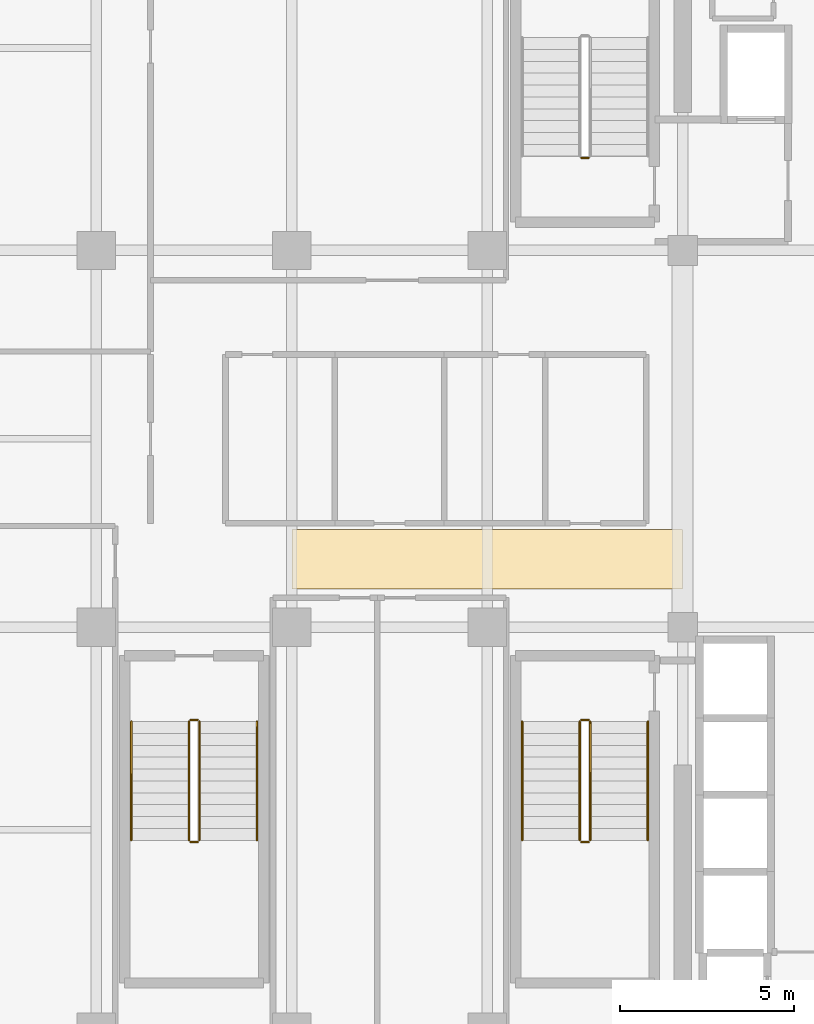
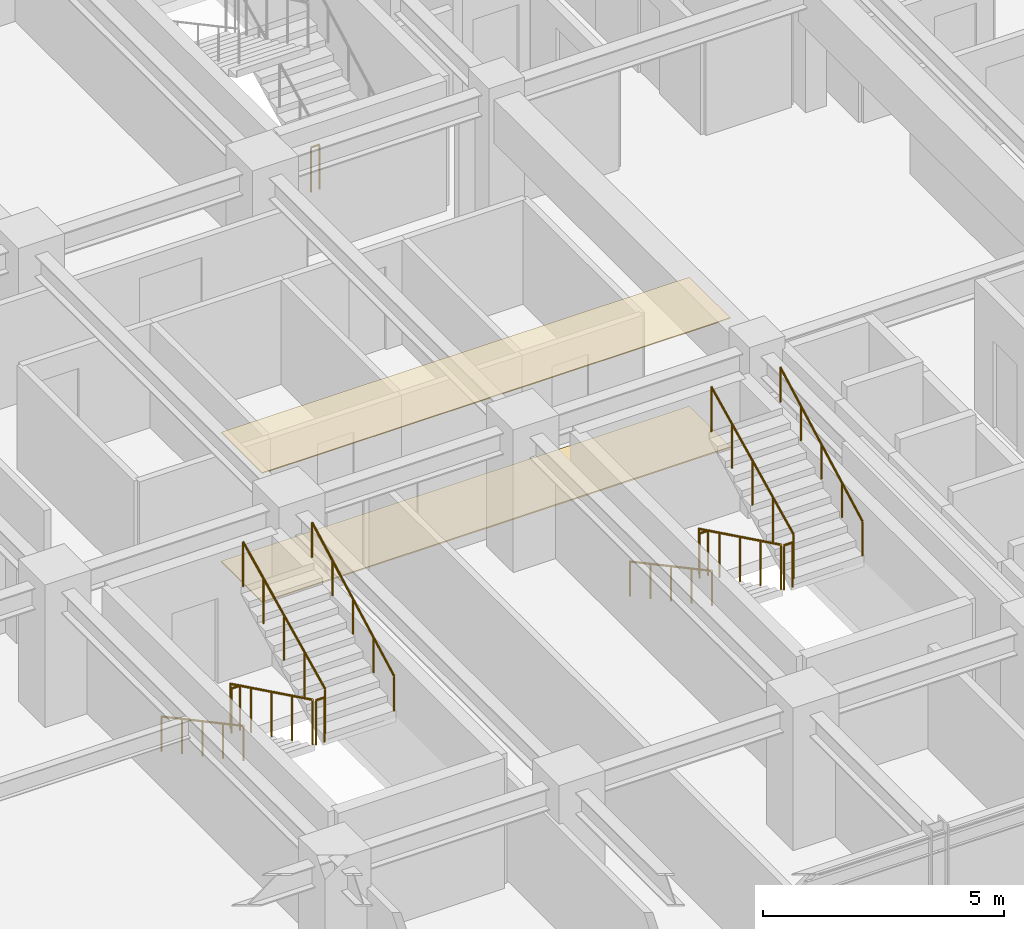
# One storey, part 30 of 32: 13 railings, 2 coverings.
"""IFC4 building model written with IfcOpenShell, lengths in metres."""

from ifc_helpers import new_model, si_unit, direction, frame, origin, origin_2d, place, context, subcontext, project, spatial, polyline, circle, outline, extrude, material, layer, layer_set, type_object, element, save


model = new_model("IFC4")

# Units and contexts
model_context = context("Model", 3, precision=1e-05, world=origin(), true_north=direction((0.0, 1.0)))
body_context = subcontext(model_context, "Body", "Model", "MODEL_VIEW")
ifc_project = project(units=[si_unit("LENGTHUNIT", "METRE"), si_unit("AREAUNIT", "SQUARE_METRE"), si_unit("VOLUMEUNIT", "CUBIC_METRE"), si_unit("PLANEANGLEUNIT", "RADIAN"), si_unit("MASSUNIT", "GRAM", prefix="KILO")], contexts=[model_context])

# Site, building, storey
site_placement = place(None, origin())
site = spatial("IfcSite", under=ifc_project, at=site_placement, CompositionType="ELEMENT")
building_placement = place(site_placement, origin())
building = spatial("IfcBuilding", under=site, at=building_placement, Name="Nahalor Promenade Grand Hotel", CompositionType="ELEMENT")
storey_placement = place(building_placement, frame((0.0, 0.0, 196.449951171875)))
storey = spatial("IfcBuildingStorey", under=building, at=storey_placement, Name="L50", CompositionType="ELEMENT", Elevation=196.449951171875)

# Coverings
ifc_material_1 = material(Name="Acoustic Mineral Gypsum", Category="gypsum")
ifc_layer_1 = layer(ifc_material_1, 0.02490234375)
ifc_layer_set_1 = layer_set([ifc_layer_1], Name="Acoustic Mineral Gypsum")
covering_type_1 = type_object("IfcCoveringType", Name="Acoustic Suspended Ceiling Tile", PredefinedType="CEILING", material=ifc_layer_set_1)
covering_1_placement = place(storey_placement, frame((0.0, 0.0, 3.26513671875)))
element("IfcCovering", 1, at=covering_1_placement, inside=storey, type_object=covering_type_1, Name="CV-CEIL-L50", PredefinedType="CEILING", context=body_context, shape_type="SweptSolid", body=[
    extrude(outline(polyline([(-2.800048828125, -4.300048828125), (8.39990234375, -4.300048828125), (8.39990234375, -2.60009765625), (-2.800048828125, -2.60009765625), (-2.800048828125, -4.300048828125)])), origin(), (0.0, 0.0, 1.0), 0.02490234375),
])
ifc_material_2 = material(Name="Jerusalem Limestone Flooring", Category="masonry")
ifc_layer_2 = layer(ifc_material_2, 0.030029296875)
ifc_layer_set_2 = layer_set([ifc_layer_2], Name="Jerusalem Limestone Flooring")
covering_type_2 = type_object("IfcCoveringType", Name="Honed Limestone Floor Finish", PredefinedType="FLOORING", material=ifc_layer_set_2)
covering_2_placement = place(storey_placement, origin())
element("IfcCovering", 2, at=covering_2_placement, inside=storey, type_object=covering_type_2, Name="CV-FLOR-L50", PredefinedType="FLOORING", context=body_context, shape_type="SweptSolid", body=[
    extrude(outline(polyline([(-2.800048828125, -4.300048828125), (8.39990234375, -4.300048828125), (8.39990234375, -2.60009765625), (-2.800048828125, -2.60009765625), (-2.800048828125, -4.300048828125)])), origin(), (0.0, 0.0, 1.0), 0.030029296875),
])

# Railings
ifc_material_3 = material(Name="Steel S355JR", Category="steel")
railing_type_1 = type_object("IfcRailingType", Name="Steel Stair Guardrail 1150 mm", PredefinedType="GUARDRAIL", material=ifc_material_3)
railing_1_placement = place(storey_placement, frame((5.699951171875, 8.050048828125, 0.0)))
element("IfcRailing", 3, at=railing_1_placement, inside=storey, type_object=railing_type_1, Name="L50 ST1 stair guard 4", PredefinedType="GUARDRAIL", context=body_context, shape_type="SweptSolid", body=[
    extrude(circle(Radius=0.024048, at=origin_2d()), frame((0.0, 0.0, 1.1259765625), z_axis=(-1.0, 0.0, 0.0), x_axis=(0.0, -1.0, 0.0)), (0.0, 0.0, 1.0), 0.199951171875),
    extrude(circle(Radius=0.020996, at=origin_2d()), origin(), (0.0, 0.0, 1.0), 1.099853515625),
    extrude(circle(Radius=0.020996, at=origin_2d()), frame((-0.199951171875, 0.0, 0.0)), (0.0, 0.0, 1.0), 1.099853515625),
])
railing_2_placement = place(storey_placement, frame((5.449951171875, -8.10009765625, 0.166015625)))
element("IfcRailing", 4, at=railing_2_placement, inside=storey, type_object=railing_type_1, Name="L50 ST2 stair guard 1", PredefinedType="GUARDRAIL", context=body_context, shape_type="SweptSolid", body=[
    extrude(circle(Radius=0.024048, at=origin_2d()), frame((0.0, 0.0, 1.1259765625), z_axis=(0.0, -0.898721922897, 0.438518990814), x_axis=(1.0, 0.0, 0.0)), (0.0, 0.0, 1.0), 3.782958984375),
    extrude(circle(Radius=0.020996, at=origin_2d()), origin(), (0.0, 0.0, 1.0), 1.099853515625),
    extrude(circle(Radius=0.020996, at=origin_2d()), frame((0.0, -0.85009765625, 0.414794921875)), (0.0, 0.0, 1.0), 1.099853515625),
    extrude(circle(Radius=0.020996, at=origin_2d()), frame((0.0, -1.699951171875, 0.82958984375)), (0.0, 0.0, 1.0), 1.099853515625),
    extrude(circle(Radius=0.020996, at=origin_2d()), frame((0.0, -2.5498046875, 1.244140625)), (0.0, 0.0, 1.0), 1.099853515625),
    extrude(circle(Radius=0.020996, at=origin_2d()), frame((0.0, -3.39990234375, 1.658935546875)), (0.0, 0.0, 1.0), 1.099853515625),
])
railing_3_placement = place(storey_placement, frame((5.5, -11.550048828125, 1.824951171875)))
element("IfcRailing", 5, at=railing_3_placement, inside=storey, type_object=railing_type_1, Name="L50 ST2 stair guard 2", PredefinedType="GUARDRAIL", context=body_context, shape_type="SweptSolid", body=[
    extrude(circle(Radius=0.024048, at=origin_2d()), frame((0.0, 0.0, 1.1259765625), z_axis=(1.0, 0.0, 0.0), x_axis=(0.0, 1.0, 0.0)), (0.0, 0.0, 1.0), 0.199951171875),
    extrude(circle(Radius=0.020996, at=origin_2d()), origin(), (0.0, 0.0, 1.0), 1.099853515625),
    extrude(circle(Radius=0.020996, at=origin_2d()), frame((0.199951171875, 0.0, 0.0)), (0.0, 0.0, 1.0), 1.099853515625),
])
railing_4_placement = place(storey_placement, frame((5.75, -11.5, 1.990966796875)))
element("IfcRailing", 6, at=railing_4_placement, inside=storey, type_object=railing_type_1, Name="L50 ST2 stair guard 3", PredefinedType="GUARDRAIL", context=body_context, shape_type="SweptSolid", body=[
    extrude(circle(Radius=0.024048, at=origin_2d()), frame((0.0, 0.0, 1.1259765625), z_axis=(0.0, 0.898696488221, 0.438571114028), x_axis=(-1.0, 0.0, 0.0)), (0.0, 0.0, 1.0), 3.783203125),
    extrude(circle(Radius=0.020996, at=origin_2d()), origin(), (0.0, 0.0, 1.0), 1.099853515625),
    extrude(circle(Radius=0.020996, at=origin_2d()), frame((0.0, 0.85009765625, 0.414794921875)), (0.0, 0.0, 1.0), 1.099853515625),
    extrude(circle(Radius=0.020996, at=origin_2d()), frame((0.0, 1.699951171875, 0.82958984375)), (0.0, 0.0, 1.0), 1.099853515625),
    extrude(circle(Radius=0.020996, at=origin_2d()), frame((0.0, 2.5498046875, 1.244384765625)), (0.0, 0.0, 1.0), 1.099853515625),
    extrude(circle(Radius=0.020996, at=origin_2d()), frame((0.0, 3.39990234375, 1.6591796875)), (0.0, 0.0, 1.0), 1.099853515625),
])
railing_5_placement = place(storey_placement, frame((5.5, -8.050048828125, 0.0)))
element("IfcRailing", 7, at=railing_5_placement, inside=storey, type_object=railing_type_1, Name="L50 ST2 stair guard 4", PredefinedType="GUARDRAIL", context=body_context, shape_type="SweptSolid", body=[
    extrude(circle(Radius=0.024048, at=origin_2d()), frame((0.0, 0.0, 1.1259765625), z_axis=(1.0, 0.0, 0.0), x_axis=(0.0, 1.0, 0.0)), (0.0, 0.0, 1.0), 0.199951171875),
    extrude(circle(Radius=0.020996, at=origin_2d()), origin(), (0.0, 0.0, 1.0), 1.099853515625),
    extrude(circle(Radius=0.020996, at=origin_2d()), frame((0.199951171875, 0.0, 0.0)), (0.0, 0.0, 1.0), 1.099853515625),
])
railing_6_placement = place(storey_placement, frame((-5.75, -8.10009765625, 0.166015625)))
element("IfcRailing", 8, at=railing_6_placement, inside=storey, type_object=railing_type_1, Name="L50 ST3 stair guard 1", PredefinedType="GUARDRAIL", context=body_context, shape_type="SweptSolid", body=[
    extrude(circle(Radius=0.024048, at=origin_2d()), frame((0.0, 0.0, 1.1259765625), z_axis=(0.0, -0.898721922897, 0.438518990814), x_axis=(1.0, 0.0, 0.0)), (0.0, 0.0, 1.0), 3.782958984375),
    extrude(circle(Radius=0.020996, at=origin_2d()), origin(), (0.0, 0.0, 1.0), 1.099853515625),
    extrude(circle(Radius=0.020996, at=origin_2d()), frame((0.0, -0.85009765625, 0.414794921875)), (0.0, 0.0, 1.0), 1.099853515625),
    extrude(circle(Radius=0.020996, at=origin_2d()), frame((0.0, -1.699951171875, 0.82958984375)), (0.0, 0.0, 1.0), 1.099853515625),
    extrude(circle(Radius=0.020996, at=origin_2d()), frame((0.0, -2.5498046875, 1.244140625)), (0.0, 0.0, 1.0), 1.099853515625),
    extrude(circle(Radius=0.020996, at=origin_2d()), frame((0.0, -3.39990234375, 1.658935546875)), (0.0, 0.0, 1.0), 1.099853515625),
])
railing_7_placement = place(storey_placement, frame((-5.699951171875, -11.550048828125, 1.824951171875)))
element("IfcRailing", 9, at=railing_7_placement, inside=storey, type_object=railing_type_1, Name="L50 ST3 stair guard 2", PredefinedType="GUARDRAIL", context=body_context, shape_type="SweptSolid", body=[
    extrude(circle(Radius=0.024048, at=origin_2d()), frame((0.0, 0.0, 1.1259765625), z_axis=(1.0, 0.0, 0.0), x_axis=(0.0, 1.0, 0.0)), (0.0, 0.0, 1.0), 0.199951171875),
    extrude(circle(Radius=0.020996, at=origin_2d()), origin(), (0.0, 0.0, 1.0), 1.099853515625),
    extrude(circle(Radius=0.020996, at=origin_2d()), frame((0.199951171875, 0.0, 0.0)), (0.0, 0.0, 1.0), 1.099853515625),
])
railing_8_placement = place(storey_placement, frame((-5.449951171875, -11.5, 1.990966796875)))
element("IfcRailing", 10, at=railing_8_placement, inside=storey, type_object=railing_type_1, Name="L50 ST3 stair guard 3", PredefinedType="GUARDRAIL", context=body_context, shape_type="SweptSolid", body=[
    extrude(circle(Radius=0.024048, at=origin_2d()), frame((0.0, 0.0, 1.1259765625), z_axis=(0.0, 0.898696488221, 0.438571114028), x_axis=(-1.0, 0.0, 0.0)), (0.0, 0.0, 1.0), 3.783203125),
    extrude(circle(Radius=0.020996, at=origin_2d()), origin(), (0.0, 0.0, 1.0), 1.099853515625),
    extrude(circle(Radius=0.020996, at=origin_2d()), frame((0.0, 0.85009765625, 0.414794921875)), (0.0, 0.0, 1.0), 1.099853515625),
    extrude(circle(Radius=0.020996, at=origin_2d()), frame((0.0, 1.699951171875, 0.82958984375)), (0.0, 0.0, 1.0), 1.099853515625),
    extrude(circle(Radius=0.020996, at=origin_2d()), frame((0.0, 2.5498046875, 1.244384765625)), (0.0, 0.0, 1.0), 1.099853515625),
    extrude(circle(Radius=0.020996, at=origin_2d()), frame((0.0, 3.39990234375, 1.6591796875)), (0.0, 0.0, 1.0), 1.099853515625),
])
railing_9_placement = place(storey_placement, frame((-5.699951171875, -8.050048828125, 0.0)))
element("IfcRailing", 11, at=railing_9_placement, inside=storey, type_object=railing_type_1, Name="L50 ST3 stair guard 4", PredefinedType="GUARDRAIL", context=body_context, shape_type="SweptSolid", body=[
    extrude(circle(Radius=0.024048, at=origin_2d()), frame((0.0, 0.0, 1.1259765625), z_axis=(1.0, 0.0, 0.0), x_axis=(0.0, 1.0, 0.0)), (0.0, 0.0, 1.0), 0.199951171875),
    extrude(circle(Radius=0.020996, at=origin_2d()), origin(), (0.0, 0.0, 1.0), 1.099853515625),
    extrude(circle(Radius=0.020996, at=origin_2d()), frame((0.199951171875, 0.0, 0.0)), (0.0, 0.0, 1.0), 1.099853515625),
])
railing_type_2 = type_object("IfcRailingType", Name="Steel Stair Handrail 900 mm", PredefinedType="HANDRAIL", material=ifc_material_3)
railing_10_placement = place(storey_placement, frame((3.800048828125, -8.10009765625, 0.166015625)))
element("IfcRailing", 12, at=railing_10_placement, inside=storey, type_object=railing_type_2, Name="L50 ST2 stair handrail 1", PredefinedType="HANDRAIL", context=body_context, shape_type="SweptSolid", body=[
    extrude(circle(Radius=0.024048, at=origin_2d()), frame((0.0, 0.0, 0.8759765625), z_axis=(0.0, -0.881094038095, 0.47294111265), x_axis=(1.0, 0.0, 0.0)), (0.0, 0.0, 1.0), 3.858642578125),
    extrude(circle(Radius=0.020996, at=origin_2d()), origin(), (0.0, 0.0, 1.0), 0.849853515625),
    extrude(circle(Radius=0.020996, at=origin_2d()), frame((0.0, -0.85009765625, 0.456298828125)), (0.0, 0.0, 1.0), 0.849853515625),
    extrude(circle(Radius=0.020996, at=origin_2d()), frame((0.0, -1.699951171875, 0.91259765625)), (0.0, 0.0, 1.0), 0.849853515625),
    extrude(circle(Radius=0.020996, at=origin_2d()), frame((0.0, -2.5498046875, 1.36865234375)), (0.0, 0.0, 1.0), 0.849853515625),
    extrude(circle(Radius=0.020996, at=origin_2d()), frame((0.0, -3.39990234375, 1.824951171875)), (0.0, 0.0, 1.0), 0.849853515625),
])
railing_11_placement = place(storey_placement, frame((7.39990234375, -11.5, 1.990966796875)))
element("IfcRailing", 13, at=railing_11_placement, inside=storey, type_object=railing_type_2, Name="L50 ST2 stair handrail 2", PredefinedType="HANDRAIL", context=body_context, shape_type="SweptSolid", body=[
    extrude(circle(Radius=0.024048, at=origin_2d()), frame((0.0, 0.0, 0.8759765625), z_axis=(0.0, 0.881094038095, 0.47294111265), x_axis=(-1.0, 0.0, 0.0)), (0.0, 0.0, 1.0), 3.858642578125),
    extrude(circle(Radius=0.020996, at=origin_2d()), origin(), (0.0, 0.0, 1.0), 0.849853515625),
    extrude(circle(Radius=0.020996, at=origin_2d()), frame((0.0, 0.85009765625, 0.456298828125)), (0.0, 0.0, 1.0), 0.849853515625),
    extrude(circle(Radius=0.020996, at=origin_2d()), frame((0.0, 1.699951171875, 0.91259765625)), (0.0, 0.0, 1.0), 0.849853515625),
    extrude(circle(Radius=0.020996, at=origin_2d()), frame((0.0, 2.5498046875, 1.36865234375)), (0.0, 0.0, 1.0), 0.849853515625),
    extrude(circle(Radius=0.020996, at=origin_2d()), frame((0.0, 3.39990234375, 1.824951171875)), (0.0, 0.0, 1.0), 0.849853515625),
])
railing_12_placement = place(storey_placement, frame((-7.39990234375, -8.10009765625, 0.166015625)))
element("IfcRailing", 14, at=railing_12_placement, inside=storey, type_object=railing_type_2, Name="L50 ST3 stair handrail 1", PredefinedType="HANDRAIL", context=body_context, shape_type="SweptSolid", body=[
    extrude(circle(Radius=0.024048, at=origin_2d()), frame((0.0, 0.0, 0.8759765625), z_axis=(0.0, -0.881094038095, 0.47294111265), x_axis=(1.0, 0.0, 0.0)), (0.0, 0.0, 1.0), 3.858642578125),
    extrude(circle(Radius=0.020996, at=origin_2d()), origin(), (0.0, 0.0, 1.0), 0.849853515625),
    extrude(circle(Radius=0.020996, at=origin_2d()), frame((0.0, -0.85009765625, 0.456298828125)), (0.0, 0.0, 1.0), 0.849853515625),
    extrude(circle(Radius=0.020996, at=origin_2d()), frame((0.0, -1.699951171875, 0.91259765625)), (0.0, 0.0, 1.0), 0.849853515625),
    extrude(circle(Radius=0.020996, at=origin_2d()), frame((0.0, -2.5498046875, 1.36865234375)), (0.0, 0.0, 1.0), 0.849853515625),
    extrude(circle(Radius=0.020996, at=origin_2d()), frame((0.0, -3.39990234375, 1.824951171875)), (0.0, 0.0, 1.0), 0.849853515625),
])
railing_13_placement = place(storey_placement, frame((-3.800048828125, -11.5, 1.990966796875)))
element("IfcRailing", 15, at=railing_13_placement, inside=storey, type_object=railing_type_2, Name="L50 ST3 stair handrail 2", PredefinedType="HANDRAIL", context=body_context, shape_type="SweptSolid", body=[
    extrude(circle(Radius=0.024048, at=origin_2d()), frame((0.0, 0.0, 0.8759765625), z_axis=(0.0, 0.881094038095, 0.47294111265), x_axis=(-1.0, 0.0, 0.0)), (0.0, 0.0, 1.0), 3.858642578125),
    extrude(circle(Radius=0.020996, at=origin_2d()), origin(), (0.0, 0.0, 1.0), 0.849853515625),
    extrude(circle(Radius=0.020996, at=origin_2d()), frame((0.0, 0.85009765625, 0.456298828125)), (0.0, 0.0, 1.0), 0.849853515625),
    extrude(circle(Radius=0.020996, at=origin_2d()), frame((0.0, 1.699951171875, 0.91259765625)), (0.0, 0.0, 1.0), 0.849853515625),
    extrude(circle(Radius=0.020996, at=origin_2d()), frame((0.0, 2.5498046875, 1.36865234375)), (0.0, 0.0, 1.0), 0.849853515625),
    extrude(circle(Radius=0.020996, at=origin_2d()), frame((0.0, 3.39990234375, 1.824951171875)), (0.0, 0.0, 1.0), 0.849853515625),
])

save(model, "model.ifc")
